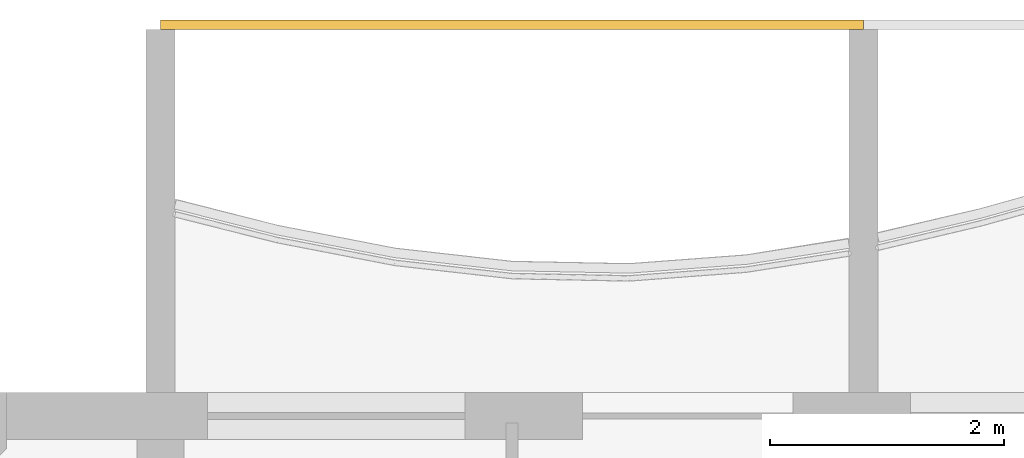
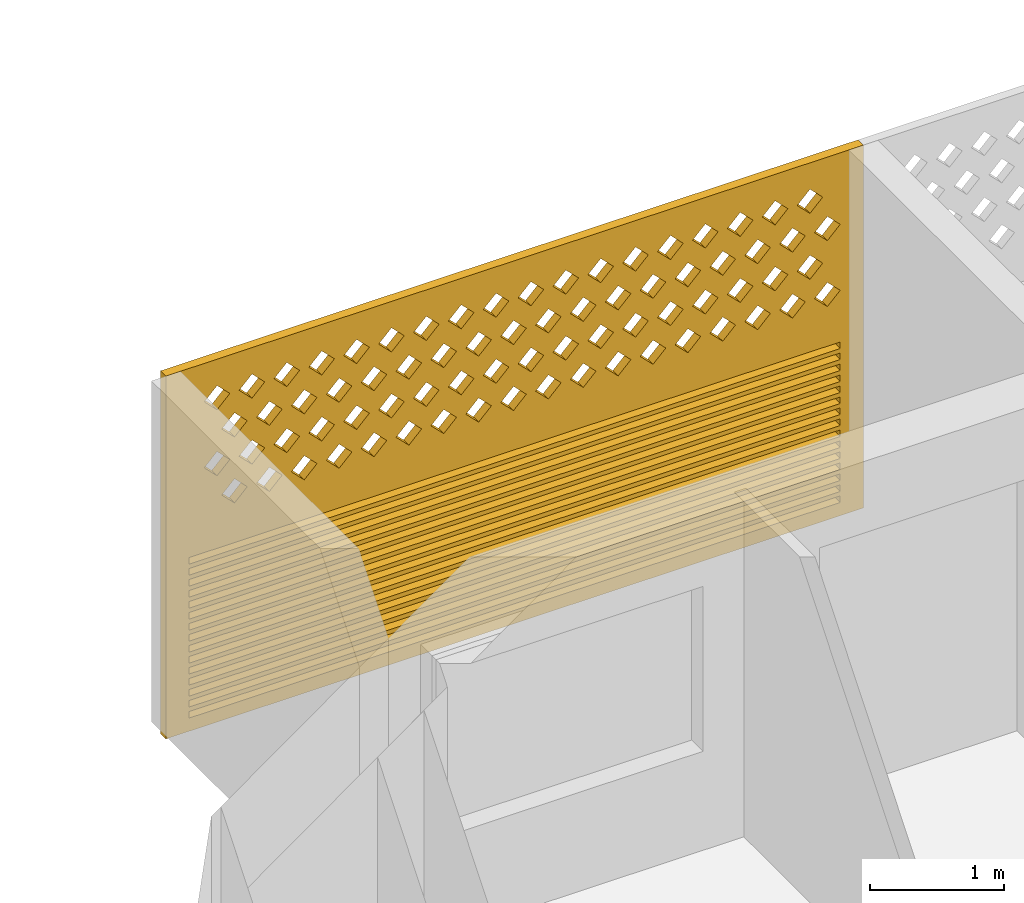
# One storey, part 20 of 39: 1 covering.
"""IFC4 building model written with IfcOpenShell, lengths in metres."""

from ifc_helpers import new_model, si_unit, direction, frame, origin, place, context, subcontext, project, spatial, polyline, outline, extrude, source, transform, mapped, material, material_profile, profile_set, type_object, element, save


model = new_model("IFC4")

# Units and contexts
model_context = context("Model", 3, precision=1e-05, world=origin(), true_north=direction((0.0, 1.0)))
body_context = subcontext(model_context, "Body", "Model", "MODEL_VIEW")
ifc_project = project(units=[si_unit("LENGTHUNIT", "METRE"), si_unit("AREAUNIT", "SQUARE_METRE"), si_unit("VOLUMEUNIT", "CUBIC_METRE"), si_unit("PLANEANGLEUNIT", "RADIAN"), si_unit("MASSUNIT", "GRAM", prefix="KILO")], contexts=[model_context])

# Site, building, storey
site_placement = place(None, origin())
site = spatial("IfcSite", under=ifc_project, at=site_placement, CompositionType="ELEMENT")
building_placement = place(site_placement, origin())
building = spatial("IfcBuilding", under=site, at=building_placement, Name="Poui Terraces", CompositionType="ELEMENT")
storey_placement = place(building_placement, frame((0.0, 0.0, 56.39990234375)))
storey = spatial("IfcBuildingStorey", under=building, at=storey_placement, Name="L15", CompositionType="ELEMENT", Elevation=56.39990234375)

# Covering
ifc_material = material(Name="Terracotta screen", Category="masonry")
ifc_material_profile = material_profile(ifc_material, outline(polyline([(-3.0, -1.64990234375), (3.0, -1.64990234375), (3.0, 1.64990234375), (-3.0, 1.64990234375), (-3.0, -1.64990234375)]), holes=[polyline([(-2.800048828125, 0.39990234375), (-2.68994140625, 0.2900390625), (-2.580078125, 0.39990234375), (-2.68994140625, 0.510009765625), (-2.800048828125, 0.39990234375)]), polyline([(-2.5, 0.39990234375), (-2.389892578125, 0.2900390625), (-2.280029296875, 0.39990234375), (-2.389892578125, 0.510009765625), (-2.5, 0.39990234375)]), polyline([(-2.199951171875, 0.39990234375), (-2.090087890625, 0.2900390625), (-1.97998046875, 0.39990234375), (-2.090087890625, 0.510009765625), (-2.199951171875, 0.39990234375)]), polyline([(-1.89990234375, 0.39990234375), (-1.7900390625, 0.2900390625), (-1.679931640625, 0.39990234375), (-1.7900390625, 0.510009765625), (-1.89990234375, 0.39990234375)]), polyline([(-1.60009765625, 0.39990234375), (-1.489990234375, 0.2900390625), (-1.3798828125, 0.39990234375), (-1.489990234375, 0.510009765625), (-1.60009765625, 0.39990234375)]), polyline([(-1.300048828125, 0.39990234375), (-1.18994140625, 0.2900390625), (-1.080078125, 0.39990234375), (-1.18994140625, 0.510009765625), (-1.300048828125, 0.39990234375)]), polyline([(-1.0, 0.39990234375), (-0.889892578125, 0.2900390625), (-0.780029296875, 0.39990234375), (-0.889892578125, 0.510009765625), (-1.0, 0.39990234375)]), polyline([(-0.699951171875, 0.39990234375), (-0.590087890625, 0.2900390625), (-0.47998046875, 0.39990234375), (-0.590087890625, 0.510009765625), (-0.699951171875, 0.39990234375)]), polyline([(-0.39990234375, 0.39990234375), (-0.2900390625, 0.2900390625), (-0.179931640625, 0.39990234375), (-0.2900390625, 0.510009765625), (-0.39990234375, 0.39990234375)]), polyline([(-0.10009765625, 0.39990234375), (0.010009765625, 0.2900390625), (0.1201171875, 0.39990234375), (0.010009765625, 0.510009765625), (-0.10009765625, 0.39990234375)]), polyline([(0.199951171875, 0.39990234375), (0.31005859375, 0.2900390625), (0.419921875, 0.39990234375), (0.31005859375, 0.510009765625), (0.199951171875, 0.39990234375)]), polyline([(0.5, 0.39990234375), (0.610107421875, 0.2900390625), (0.719970703125, 0.39990234375), (0.610107421875, 0.510009765625), (0.5, 0.39990234375)]), polyline([(0.800048828125, 0.39990234375), (0.909912109375, 0.2900390625), (1.02001953125, 0.39990234375), (0.909912109375, 0.510009765625), (0.800048828125, 0.39990234375)]), polyline([(1.10009765625, 0.39990234375), (1.2099609375, 0.2900390625), (1.320068359375, 0.39990234375), (1.2099609375, 0.510009765625), (1.10009765625, 0.39990234375)]), polyline([(1.39990234375, 0.39990234375), (1.510009765625, 0.2900390625), (1.6201171875, 0.39990234375), (1.510009765625, 0.510009765625), (1.39990234375, 0.39990234375)]), polyline([(1.699951171875, 0.39990234375), (1.81005859375, 0.2900390625), (1.919921875, 0.39990234375), (1.81005859375, 0.510009765625), (1.699951171875, 0.39990234375)]), polyline([(2.0, 0.39990234375), (2.110107421875, 0.2900390625), (2.219970703125, 0.39990234375), (2.110107421875, 0.510009765625), (2.0, 0.39990234375)]), polyline([(2.300048828125, 0.39990234375), (2.409912109375, 0.2900390625), (2.52001953125, 0.39990234375), (2.409912109375, 0.510009765625), (2.300048828125, 0.39990234375)]), polyline([(-2.64990234375, 0.699951171875), (-2.5400390625, 0.590087890625), (-2.429931640625, 0.699951171875), (-2.5400390625, 0.81005859375), (-2.64990234375, 0.699951171875)]), polyline([(-2.35009765625, 0.699951171875), (-2.239990234375, 0.590087890625), (-2.1298828125, 0.699951171875), (-2.239990234375, 0.81005859375), (-2.35009765625, 0.699951171875)]), polyline([(-2.050048828125, 0.699951171875), (-1.93994140625, 0.590087890625), (-1.830078125, 0.699951171875), (-1.93994140625, 0.81005859375), (-2.050048828125, 0.699951171875)]), polyline([(-1.75, 0.699951171875), (-1.639892578125, 0.590087890625), (-1.530029296875, 0.699951171875), (-1.639892578125, 0.81005859375), (-1.75, 0.699951171875)]), polyline([(-1.449951171875, 0.699951171875), (-1.340087890625, 0.590087890625), (-1.22998046875, 0.699951171875), (-1.340087890625, 0.81005859375), (-1.449951171875, 0.699951171875)]), polyline([(-1.14990234375, 0.699951171875), (-1.0400390625, 0.590087890625), (-0.929931640625, 0.699951171875), (-1.0400390625, 0.81005859375), (-1.14990234375, 0.699951171875)]), polyline([(-0.85009765625, 0.699951171875), (-0.739990234375, 0.590087890625), (-0.6298828125, 0.699951171875), (-0.739990234375, 0.81005859375), (-0.85009765625, 0.699951171875)]), polyline([(-0.550048828125, 0.699951171875), (-0.43994140625, 0.590087890625), (-0.330078125, 0.699951171875), (-0.43994140625, 0.81005859375), (-0.550048828125, 0.699951171875)]), polyline([(-0.25, 0.699951171875), (-0.139892578125, 0.590087890625), (-0.030029296875, 0.699951171875), (-0.139892578125, 0.81005859375), (-0.25, 0.699951171875)]), polyline([(0.050048828125, 0.699951171875), (0.159912109375, 0.590087890625), (0.27001953125, 0.699951171875), (0.159912109375, 0.81005859375), (0.050048828125, 0.699951171875)]), polyline([(0.35009765625, 0.699951171875), (0.4599609375, 0.590087890625), (0.570068359375, 0.699951171875), (0.4599609375, 0.81005859375), (0.35009765625, 0.699951171875)]), polyline([(0.64990234375, 0.699951171875), (0.760009765625, 0.590087890625), (0.8701171875, 0.699951171875), (0.760009765625, 0.81005859375), (0.64990234375, 0.699951171875)]), polyline([(0.949951171875, 0.699951171875), (1.06005859375, 0.590087890625), (1.169921875, 0.699951171875), (1.06005859375, 0.81005859375), (0.949951171875, 0.699951171875)]), polyline([(1.25, 0.699951171875), (1.360107421875, 0.590087890625), (1.469970703125, 0.699951171875), (1.360107421875, 0.81005859375), (1.25, 0.699951171875)]), polyline([(1.550048828125, 0.699951171875), (1.659912109375, 0.590087890625), (1.77001953125, 0.699951171875), (1.659912109375, 0.81005859375), (1.550048828125, 0.699951171875)]), polyline([(1.85009765625, 0.699951171875), (1.9599609375, 0.590087890625), (2.070068359375, 0.699951171875), (1.9599609375, 0.81005859375), (1.85009765625, 0.699951171875)]), polyline([(2.14990234375, 0.699951171875), (2.260009765625, 0.590087890625), (2.3701171875, 0.699951171875), (2.260009765625, 0.81005859375), (2.14990234375, 0.699951171875)]), polyline([(2.449951171875, 0.699951171875), (2.56005859375, 0.590087890625), (2.669921875, 0.699951171875), (2.56005859375, 0.81005859375), (2.449951171875, 0.699951171875)]), polyline([(-2.800048828125, 1.0), (-2.68994140625, 0.889892578125), (-2.580078125, 1.0), (-2.68994140625, 1.110107421875), (-2.800048828125, 1.0)]), polyline([(-2.5, 1.0), (-2.389892578125, 0.889892578125), (-2.280029296875, 1.0), (-2.389892578125, 1.110107421875), (-2.5, 1.0)]), polyline([(-2.199951171875, 1.0), (-2.090087890625, 0.889892578125), (-1.97998046875, 1.0), (-2.090087890625, 1.110107421875), (-2.199951171875, 1.0)]), polyline([(-1.89990234375, 1.0), (-1.7900390625, 0.889892578125), (-1.679931640625, 1.0), (-1.7900390625, 1.110107421875), (-1.89990234375, 1.0)]), polyline([(-1.60009765625, 1.0), (-1.489990234375, 0.889892578125), (-1.3798828125, 1.0), (-1.489990234375, 1.110107421875), (-1.60009765625, 1.0)]), polyline([(-1.300048828125, 1.0), (-1.18994140625, 0.889892578125), (-1.080078125, 1.0), (-1.18994140625, 1.110107421875), (-1.300048828125, 1.0)]), polyline([(-1.0, 1.0), (-0.889892578125, 0.889892578125), (-0.780029296875, 1.0), (-0.889892578125, 1.110107421875), (-1.0, 1.0)]), polyline([(-0.699951171875, 1.0), (-0.590087890625, 0.889892578125), (-0.47998046875, 1.0), (-0.590087890625, 1.110107421875), (-0.699951171875, 1.0)]), polyline([(-0.39990234375, 1.0), (-0.2900390625, 0.889892578125), (-0.179931640625, 1.0), (-0.2900390625, 1.110107421875), (-0.39990234375, 1.0)]), polyline([(-0.10009765625, 1.0), (0.010009765625, 0.889892578125), (0.1201171875, 1.0), (0.010009765625, 1.110107421875), (-0.10009765625, 1.0)]), polyline([(0.199951171875, 1.0), (0.31005859375, 0.889892578125), (0.419921875, 1.0), (0.31005859375, 1.110107421875), (0.199951171875, 1.0)]), polyline([(0.5, 1.0), (0.610107421875, 0.889892578125), (0.719970703125, 1.0), (0.610107421875, 1.110107421875), (0.5, 1.0)]), polyline([(0.800048828125, 1.0), (0.909912109375, 0.889892578125), (1.02001953125, 1.0), (0.909912109375, 1.110107421875), (0.800048828125, 1.0)]), polyline([(1.10009765625, 1.0), (1.2099609375, 0.889892578125), (1.320068359375, 1.0), (1.2099609375, 1.110107421875), (1.10009765625, 1.0)]), polyline([(1.39990234375, 1.0), (1.510009765625, 0.889892578125), (1.6201171875, 1.0), (1.510009765625, 1.110107421875), (1.39990234375, 1.0)]), polyline([(1.699951171875, 1.0), (1.81005859375, 0.889892578125), (1.919921875, 1.0), (1.81005859375, 1.110107421875), (1.699951171875, 1.0)]), polyline([(2.0, 1.0), (2.110107421875, 0.889892578125), (2.219970703125, 1.0), (2.110107421875, 1.110107421875), (2.0, 1.0)]), polyline([(2.300048828125, 1.0), (2.409912109375, 0.889892578125), (2.52001953125, 1.0), (2.409912109375, 1.110107421875), (2.300048828125, 1.0)]), polyline([(-2.64990234375, 1.300048828125), (-2.5400390625, 1.18994140625), (-2.429931640625, 1.300048828125), (-2.5400390625, 1.409912109375), (-2.64990234375, 1.300048828125)]), polyline([(-2.35009765625, 1.300048828125), (-2.239990234375, 1.18994140625), (-2.1298828125, 1.300048828125), (-2.239990234375, 1.409912109375), (-2.35009765625, 1.300048828125)]), polyline([(-2.050048828125, 1.300048828125), (-1.93994140625, 1.18994140625), (-1.830078125, 1.300048828125), (-1.93994140625, 1.409912109375), (-2.050048828125, 1.300048828125)]), polyline([(-1.75, 1.300048828125), (-1.639892578125, 1.18994140625), (-1.530029296875, 1.300048828125), (-1.639892578125, 1.409912109375), (-1.75, 1.300048828125)]), polyline([(-1.449951171875, 1.300048828125), (-1.340087890625, 1.18994140625), (-1.22998046875, 1.300048828125), (-1.340087890625, 1.409912109375), (-1.449951171875, 1.300048828125)]), polyline([(-1.14990234375, 1.300048828125), (-1.0400390625, 1.18994140625), (-0.929931640625, 1.300048828125), (-1.0400390625, 1.409912109375), (-1.14990234375, 1.300048828125)]), polyline([(-0.85009765625, 1.300048828125), (-0.739990234375, 1.18994140625), (-0.6298828125, 1.300048828125), (-0.739990234375, 1.409912109375), (-0.85009765625, 1.300048828125)]), polyline([(-0.550048828125, 1.300048828125), (-0.43994140625, 1.18994140625), (-0.330078125, 1.300048828125), (-0.43994140625, 1.409912109375), (-0.550048828125, 1.300048828125)]), polyline([(-0.25, 1.300048828125), (-0.139892578125, 1.18994140625), (-0.030029296875, 1.300048828125), (-0.139892578125, 1.409912109375), (-0.25, 1.300048828125)]), polyline([(0.050048828125, 1.300048828125), (0.159912109375, 1.18994140625), (0.27001953125, 1.300048828125), (0.159912109375, 1.409912109375), (0.050048828125, 1.300048828125)]), polyline([(0.35009765625, 1.300048828125), (0.4599609375, 1.18994140625), (0.570068359375, 1.300048828125), (0.4599609375, 1.409912109375), (0.35009765625, 1.300048828125)]), polyline([(0.64990234375, 1.300048828125), (0.760009765625, 1.18994140625), (0.8701171875, 1.300048828125), (0.760009765625, 1.409912109375), (0.64990234375, 1.300048828125)]), polyline([(0.949951171875, 1.300048828125), (1.06005859375, 1.18994140625), (1.169921875, 1.300048828125), (1.06005859375, 1.409912109375), (0.949951171875, 1.300048828125)]), polyline([(1.25, 1.300048828125), (1.360107421875, 1.18994140625), (1.469970703125, 1.300048828125), (1.360107421875, 1.409912109375), (1.25, 1.300048828125)]), polyline([(1.550048828125, 1.300048828125), (1.659912109375, 1.18994140625), (1.77001953125, 1.300048828125), (1.659912109375, 1.409912109375), (1.550048828125, 1.300048828125)]), polyline([(1.85009765625, 1.300048828125), (1.9599609375, 1.18994140625), (2.070068359375, 1.300048828125), (1.9599609375, 1.409912109375), (1.85009765625, 1.300048828125)]), polyline([(2.14990234375, 1.300048828125), (2.260009765625, 1.18994140625), (2.3701171875, 1.300048828125), (2.260009765625, 1.409912109375), (2.14990234375, 1.300048828125)]), polyline([(2.449951171875, 1.300048828125), (2.56005859375, 1.18994140625), (2.669921875, 1.300048828125), (2.56005859375, 1.409912109375), (2.449951171875, 1.300048828125)]), polyline([(-2.800048828125, -1.530029296875), (2.800048828125, -1.530029296875), (2.800048828125, -1.469970703125), (-2.800048828125, -1.469970703125), (-2.800048828125, -1.530029296875)]), polyline([(-2.800048828125, -1.429931640625), (2.800048828125, -1.429931640625), (2.800048828125, -1.3701171875), (-2.800048828125, -1.3701171875), (-2.800048828125, -1.429931640625)]), polyline([(-2.800048828125, -1.330078125), (2.800048828125, -1.330078125), (2.800048828125, -1.27001953125), (-2.800048828125, -1.27001953125), (-2.800048828125, -1.330078125)]), polyline([(-2.800048828125, -1.22998046875), (2.800048828125, -1.22998046875), (2.800048828125, -1.169921875), (-2.800048828125, -1.169921875), (-2.800048828125, -1.22998046875)]), polyline([(-2.800048828125, -1.1298828125), (2.800048828125, -1.1298828125), (2.800048828125, -1.070068359375), (-2.800048828125, -1.070068359375), (-2.800048828125, -1.1298828125)]), polyline([(-2.800048828125, -1.030029296875), (2.800048828125, -1.030029296875), (2.800048828125, -0.969970703125), (-2.800048828125, -0.969970703125), (-2.800048828125, -1.030029296875)]), polyline([(-2.800048828125, -0.929931640625), (2.800048828125, -0.929931640625), (2.800048828125, -0.8701171875), (-2.800048828125, -0.8701171875), (-2.800048828125, -0.929931640625)]), polyline([(-2.800048828125, -0.830078125), (2.800048828125, -0.830078125), (2.800048828125, -0.77001953125), (-2.800048828125, -0.77001953125), (-2.800048828125, -0.830078125)]), polyline([(-2.800048828125, -0.72998046875), (2.800048828125, -0.72998046875), (2.800048828125, -0.669921875), (-2.800048828125, -0.669921875), (-2.800048828125, -0.72998046875)]), polyline([(-2.800048828125, -0.6298828125), (2.800048828125, -0.6298828125), (2.800048828125, -0.570068359375), (-2.800048828125, -0.570068359375), (-2.800048828125, -0.6298828125)]), polyline([(-2.800048828125, -0.530029296875), (2.800048828125, -0.530029296875), (2.800048828125, -0.469970703125), (-2.800048828125, -0.469970703125), (-2.800048828125, -0.530029296875)]), polyline([(-2.800048828125, -0.429931640625), (2.800048828125, -0.429931640625), (2.800048828125, -0.3701171875), (-2.800048828125, -0.3701171875), (-2.800048828125, -0.429931640625)]), polyline([(-2.800048828125, -0.330078125), (2.800048828125, -0.330078125), (2.800048828125, -0.27001953125), (-2.800048828125, -0.27001953125), (-2.800048828125, -0.330078125)]), polyline([(-2.800048828125, -0.22998046875), (2.800048828125, -0.22998046875), (2.800048828125, -0.169921875), (-2.800048828125, -0.169921875), (-2.800048828125, -0.22998046875)]), polyline([(-2.800048828125, -0.1298828125), (2.800048828125, -0.1298828125), (2.800048828125, -0.070068359375), (-2.800048828125, -0.070068359375), (-2.800048828125, -0.1298828125)])]), Name="TERRACOTTA SCREEN AND JALOUSIE LOUVRE 6000X3300")
ifc_profile_set = profile_set([ifc_material_profile], Name="Terracotta screen")
covering_type = type_object("IfcCoveringType", Name="TERRACOTTA SCREEN AND JALOUSIE LOUVRE 6000X3300", PredefinedType="CLADDING", material=ifc_profile_set)
shared_shape = source(origin(), body_context, "Body", "SweptSolid", [
    extrude(outline(polyline([(-3.0, -1.64990234375), (3.0, -1.64990234375), (3.0, 1.64990234375), (-3.0, 1.64990234375), (-3.0, -1.64990234375)]), holes=[polyline([(-2.800048828125, 0.39990234375), (-2.68994140625, 0.2900390625), (-2.580078125, 0.39990234375), (-2.68994140625, 0.510009765625), (-2.800048828125, 0.39990234375)]), polyline([(-2.5, 0.39990234375), (-2.389892578125, 0.2900390625), (-2.280029296875, 0.39990234375), (-2.389892578125, 0.510009765625), (-2.5, 0.39990234375)]), polyline([(-2.199951171875, 0.39990234375), (-2.090087890625, 0.2900390625), (-1.97998046875, 0.39990234375), (-2.090087890625, 0.510009765625), (-2.199951171875, 0.39990234375)]), polyline([(-1.89990234375, 0.39990234375), (-1.7900390625, 0.2900390625), (-1.679931640625, 0.39990234375), (-1.7900390625, 0.510009765625), (-1.89990234375, 0.39990234375)]), polyline([(-1.60009765625, 0.39990234375), (-1.489990234375, 0.2900390625), (-1.3798828125, 0.39990234375), (-1.489990234375, 0.510009765625), (-1.60009765625, 0.39990234375)]), polyline([(-1.300048828125, 0.39990234375), (-1.18994140625, 0.2900390625), (-1.080078125, 0.39990234375), (-1.18994140625, 0.510009765625), (-1.300048828125, 0.39990234375)]), polyline([(-1.0, 0.39990234375), (-0.889892578125, 0.2900390625), (-0.780029296875, 0.39990234375), (-0.889892578125, 0.510009765625), (-1.0, 0.39990234375)]), polyline([(-0.699951171875, 0.39990234375), (-0.590087890625, 0.2900390625), (-0.47998046875, 0.39990234375), (-0.590087890625, 0.510009765625), (-0.699951171875, 0.39990234375)]), polyline([(-0.39990234375, 0.39990234375), (-0.2900390625, 0.2900390625), (-0.179931640625, 0.39990234375), (-0.2900390625, 0.510009765625), (-0.39990234375, 0.39990234375)]), polyline([(-0.10009765625, 0.39990234375), (0.010009765625, 0.2900390625), (0.1201171875, 0.39990234375), (0.010009765625, 0.510009765625), (-0.10009765625, 0.39990234375)]), polyline([(0.199951171875, 0.39990234375), (0.31005859375, 0.2900390625), (0.419921875, 0.39990234375), (0.31005859375, 0.510009765625), (0.199951171875, 0.39990234375)]), polyline([(0.5, 0.39990234375), (0.610107421875, 0.2900390625), (0.719970703125, 0.39990234375), (0.610107421875, 0.510009765625), (0.5, 0.39990234375)]), polyline([(0.800048828125, 0.39990234375), (0.909912109375, 0.2900390625), (1.02001953125, 0.39990234375), (0.909912109375, 0.510009765625), (0.800048828125, 0.39990234375)]), polyline([(1.10009765625, 0.39990234375), (1.2099609375, 0.2900390625), (1.320068359375, 0.39990234375), (1.2099609375, 0.510009765625), (1.10009765625, 0.39990234375)]), polyline([(1.39990234375, 0.39990234375), (1.510009765625, 0.2900390625), (1.6201171875, 0.39990234375), (1.510009765625, 0.510009765625), (1.39990234375, 0.39990234375)]), polyline([(1.699951171875, 0.39990234375), (1.81005859375, 0.2900390625), (1.919921875, 0.39990234375), (1.81005859375, 0.510009765625), (1.699951171875, 0.39990234375)]), polyline([(2.0, 0.39990234375), (2.110107421875, 0.2900390625), (2.219970703125, 0.39990234375), (2.110107421875, 0.510009765625), (2.0, 0.39990234375)]), polyline([(2.300048828125, 0.39990234375), (2.409912109375, 0.2900390625), (2.52001953125, 0.39990234375), (2.409912109375, 0.510009765625), (2.300048828125, 0.39990234375)]), polyline([(-2.64990234375, 0.699951171875), (-2.5400390625, 0.590087890625), (-2.429931640625, 0.699951171875), (-2.5400390625, 0.81005859375), (-2.64990234375, 0.699951171875)]), polyline([(-2.35009765625, 0.699951171875), (-2.239990234375, 0.590087890625), (-2.1298828125, 0.699951171875), (-2.239990234375, 0.81005859375), (-2.35009765625, 0.699951171875)]), polyline([(-2.050048828125, 0.699951171875), (-1.93994140625, 0.590087890625), (-1.830078125, 0.699951171875), (-1.93994140625, 0.81005859375), (-2.050048828125, 0.699951171875)]), polyline([(-1.75, 0.699951171875), (-1.639892578125, 0.590087890625), (-1.530029296875, 0.699951171875), (-1.639892578125, 0.81005859375), (-1.75, 0.699951171875)]), polyline([(-1.449951171875, 0.699951171875), (-1.340087890625, 0.590087890625), (-1.22998046875, 0.699951171875), (-1.340087890625, 0.81005859375), (-1.449951171875, 0.699951171875)]), polyline([(-1.14990234375, 0.699951171875), (-1.0400390625, 0.590087890625), (-0.929931640625, 0.699951171875), (-1.0400390625, 0.81005859375), (-1.14990234375, 0.699951171875)]), polyline([(-0.85009765625, 0.699951171875), (-0.739990234375, 0.590087890625), (-0.6298828125, 0.699951171875), (-0.739990234375, 0.81005859375), (-0.85009765625, 0.699951171875)]), polyline([(-0.550048828125, 0.699951171875), (-0.43994140625, 0.590087890625), (-0.330078125, 0.699951171875), (-0.43994140625, 0.81005859375), (-0.550048828125, 0.699951171875)]), polyline([(-0.25, 0.699951171875), (-0.139892578125, 0.590087890625), (-0.030029296875, 0.699951171875), (-0.139892578125, 0.81005859375), (-0.25, 0.699951171875)]), polyline([(0.050048828125, 0.699951171875), (0.159912109375, 0.590087890625), (0.27001953125, 0.699951171875), (0.159912109375, 0.81005859375), (0.050048828125, 0.699951171875)]), polyline([(0.35009765625, 0.699951171875), (0.4599609375, 0.590087890625), (0.570068359375, 0.699951171875), (0.4599609375, 0.81005859375), (0.35009765625, 0.699951171875)]), polyline([(0.64990234375, 0.699951171875), (0.760009765625, 0.590087890625), (0.8701171875, 0.699951171875), (0.760009765625, 0.81005859375), (0.64990234375, 0.699951171875)]), polyline([(0.949951171875, 0.699951171875), (1.06005859375, 0.590087890625), (1.169921875, 0.699951171875), (1.06005859375, 0.81005859375), (0.949951171875, 0.699951171875)]), polyline([(1.25, 0.699951171875), (1.360107421875, 0.590087890625), (1.469970703125, 0.699951171875), (1.360107421875, 0.81005859375), (1.25, 0.699951171875)]), polyline([(1.550048828125, 0.699951171875), (1.659912109375, 0.590087890625), (1.77001953125, 0.699951171875), (1.659912109375, 0.81005859375), (1.550048828125, 0.699951171875)]), polyline([(1.85009765625, 0.699951171875), (1.9599609375, 0.590087890625), (2.070068359375, 0.699951171875), (1.9599609375, 0.81005859375), (1.85009765625, 0.699951171875)]), polyline([(2.14990234375, 0.699951171875), (2.260009765625, 0.590087890625), (2.3701171875, 0.699951171875), (2.260009765625, 0.81005859375), (2.14990234375, 0.699951171875)]), polyline([(2.449951171875, 0.699951171875), (2.56005859375, 0.590087890625), (2.669921875, 0.699951171875), (2.56005859375, 0.81005859375), (2.449951171875, 0.699951171875)]), polyline([(-2.800048828125, 1.0), (-2.68994140625, 0.889892578125), (-2.580078125, 1.0), (-2.68994140625, 1.110107421875), (-2.800048828125, 1.0)]), polyline([(-2.5, 1.0), (-2.389892578125, 0.889892578125), (-2.280029296875, 1.0), (-2.389892578125, 1.110107421875), (-2.5, 1.0)]), polyline([(-2.199951171875, 1.0), (-2.090087890625, 0.889892578125), (-1.97998046875, 1.0), (-2.090087890625, 1.110107421875), (-2.199951171875, 1.0)]), polyline([(-1.89990234375, 1.0), (-1.7900390625, 0.889892578125), (-1.679931640625, 1.0), (-1.7900390625, 1.110107421875), (-1.89990234375, 1.0)]), polyline([(-1.60009765625, 1.0), (-1.489990234375, 0.889892578125), (-1.3798828125, 1.0), (-1.489990234375, 1.110107421875), (-1.60009765625, 1.0)]), polyline([(-1.300048828125, 1.0), (-1.18994140625, 0.889892578125), (-1.080078125, 1.0), (-1.18994140625, 1.110107421875), (-1.300048828125, 1.0)]), polyline([(-1.0, 1.0), (-0.889892578125, 0.889892578125), (-0.780029296875, 1.0), (-0.889892578125, 1.110107421875), (-1.0, 1.0)]), polyline([(-0.699951171875, 1.0), (-0.590087890625, 0.889892578125), (-0.47998046875, 1.0), (-0.590087890625, 1.110107421875), (-0.699951171875, 1.0)]), polyline([(-0.39990234375, 1.0), (-0.2900390625, 0.889892578125), (-0.179931640625, 1.0), (-0.2900390625, 1.110107421875), (-0.39990234375, 1.0)]), polyline([(-0.10009765625, 1.0), (0.010009765625, 0.889892578125), (0.1201171875, 1.0), (0.010009765625, 1.110107421875), (-0.10009765625, 1.0)]), polyline([(0.199951171875, 1.0), (0.31005859375, 0.889892578125), (0.419921875, 1.0), (0.31005859375, 1.110107421875), (0.199951171875, 1.0)]), polyline([(0.5, 1.0), (0.610107421875, 0.889892578125), (0.719970703125, 1.0), (0.610107421875, 1.110107421875), (0.5, 1.0)]), polyline([(0.800048828125, 1.0), (0.909912109375, 0.889892578125), (1.02001953125, 1.0), (0.909912109375, 1.110107421875), (0.800048828125, 1.0)]), polyline([(1.10009765625, 1.0), (1.2099609375, 0.889892578125), (1.320068359375, 1.0), (1.2099609375, 1.110107421875), (1.10009765625, 1.0)]), polyline([(1.39990234375, 1.0), (1.510009765625, 0.889892578125), (1.6201171875, 1.0), (1.510009765625, 1.110107421875), (1.39990234375, 1.0)]), polyline([(1.699951171875, 1.0), (1.81005859375, 0.889892578125), (1.919921875, 1.0), (1.81005859375, 1.110107421875), (1.699951171875, 1.0)]), polyline([(2.0, 1.0), (2.110107421875, 0.889892578125), (2.219970703125, 1.0), (2.110107421875, 1.110107421875), (2.0, 1.0)]), polyline([(2.300048828125, 1.0), (2.409912109375, 0.889892578125), (2.52001953125, 1.0), (2.409912109375, 1.110107421875), (2.300048828125, 1.0)]), polyline([(-2.64990234375, 1.300048828125), (-2.5400390625, 1.18994140625), (-2.429931640625, 1.300048828125), (-2.5400390625, 1.409912109375), (-2.64990234375, 1.300048828125)]), polyline([(-2.35009765625, 1.300048828125), (-2.239990234375, 1.18994140625), (-2.1298828125, 1.300048828125), (-2.239990234375, 1.409912109375), (-2.35009765625, 1.300048828125)]), polyline([(-2.050048828125, 1.300048828125), (-1.93994140625, 1.18994140625), (-1.830078125, 1.300048828125), (-1.93994140625, 1.409912109375), (-2.050048828125, 1.300048828125)]), polyline([(-1.75, 1.300048828125), (-1.639892578125, 1.18994140625), (-1.530029296875, 1.300048828125), (-1.639892578125, 1.409912109375), (-1.75, 1.300048828125)]), polyline([(-1.449951171875, 1.300048828125), (-1.340087890625, 1.18994140625), (-1.22998046875, 1.300048828125), (-1.340087890625, 1.409912109375), (-1.449951171875, 1.300048828125)]), polyline([(-1.14990234375, 1.300048828125), (-1.0400390625, 1.18994140625), (-0.929931640625, 1.300048828125), (-1.0400390625, 1.409912109375), (-1.14990234375, 1.300048828125)]), polyline([(-0.85009765625, 1.300048828125), (-0.739990234375, 1.18994140625), (-0.6298828125, 1.300048828125), (-0.739990234375, 1.409912109375), (-0.85009765625, 1.300048828125)]), polyline([(-0.550048828125, 1.300048828125), (-0.43994140625, 1.18994140625), (-0.330078125, 1.300048828125), (-0.43994140625, 1.409912109375), (-0.550048828125, 1.300048828125)]), polyline([(-0.25, 1.300048828125), (-0.139892578125, 1.18994140625), (-0.030029296875, 1.300048828125), (-0.139892578125, 1.409912109375), (-0.25, 1.300048828125)]), polyline([(0.050048828125, 1.300048828125), (0.159912109375, 1.18994140625), (0.27001953125, 1.300048828125), (0.159912109375, 1.409912109375), (0.050048828125, 1.300048828125)]), polyline([(0.35009765625, 1.300048828125), (0.4599609375, 1.18994140625), (0.570068359375, 1.300048828125), (0.4599609375, 1.409912109375), (0.35009765625, 1.300048828125)]), polyline([(0.64990234375, 1.300048828125), (0.760009765625, 1.18994140625), (0.8701171875, 1.300048828125), (0.760009765625, 1.409912109375), (0.64990234375, 1.300048828125)]), polyline([(0.949951171875, 1.300048828125), (1.06005859375, 1.18994140625), (1.169921875, 1.300048828125), (1.06005859375, 1.409912109375), (0.949951171875, 1.300048828125)]), polyline([(1.25, 1.300048828125), (1.360107421875, 1.18994140625), (1.469970703125, 1.300048828125), (1.360107421875, 1.409912109375), (1.25, 1.300048828125)]), polyline([(1.550048828125, 1.300048828125), (1.659912109375, 1.18994140625), (1.77001953125, 1.300048828125), (1.659912109375, 1.409912109375), (1.550048828125, 1.300048828125)]), polyline([(1.85009765625, 1.300048828125), (1.9599609375, 1.18994140625), (2.070068359375, 1.300048828125), (1.9599609375, 1.409912109375), (1.85009765625, 1.300048828125)]), polyline([(2.14990234375, 1.300048828125), (2.260009765625, 1.18994140625), (2.3701171875, 1.300048828125), (2.260009765625, 1.409912109375), (2.14990234375, 1.300048828125)]), polyline([(2.449951171875, 1.300048828125), (2.56005859375, 1.18994140625), (2.669921875, 1.300048828125), (2.56005859375, 1.409912109375), (2.449951171875, 1.300048828125)]), polyline([(-2.800048828125, -1.530029296875), (2.800048828125, -1.530029296875), (2.800048828125, -1.469970703125), (-2.800048828125, -1.469970703125), (-2.800048828125, -1.530029296875)]), polyline([(-2.800048828125, -1.429931640625), (2.800048828125, -1.429931640625), (2.800048828125, -1.3701171875), (-2.800048828125, -1.3701171875), (-2.800048828125, -1.429931640625)]), polyline([(-2.800048828125, -1.330078125), (2.800048828125, -1.330078125), (2.800048828125, -1.27001953125), (-2.800048828125, -1.27001953125), (-2.800048828125, -1.330078125)]), polyline([(-2.800048828125, -1.22998046875), (2.800048828125, -1.22998046875), (2.800048828125, -1.169921875), (-2.800048828125, -1.169921875), (-2.800048828125, -1.22998046875)]), polyline([(-2.800048828125, -1.1298828125), (2.800048828125, -1.1298828125), (2.800048828125, -1.070068359375), (-2.800048828125, -1.070068359375), (-2.800048828125, -1.1298828125)]), polyline([(-2.800048828125, -1.030029296875), (2.800048828125, -1.030029296875), (2.800048828125, -0.969970703125), (-2.800048828125, -0.969970703125), (-2.800048828125, -1.030029296875)]), polyline([(-2.800048828125, -0.929931640625), (2.800048828125, -0.929931640625), (2.800048828125, -0.8701171875), (-2.800048828125, -0.8701171875), (-2.800048828125, -0.929931640625)]), polyline([(-2.800048828125, -0.830078125), (2.800048828125, -0.830078125), (2.800048828125, -0.77001953125), (-2.800048828125, -0.77001953125), (-2.800048828125, -0.830078125)]), polyline([(-2.800048828125, -0.72998046875), (2.800048828125, -0.72998046875), (2.800048828125, -0.669921875), (-2.800048828125, -0.669921875), (-2.800048828125, -0.72998046875)]), polyline([(-2.800048828125, -0.6298828125), (2.800048828125, -0.6298828125), (2.800048828125, -0.570068359375), (-2.800048828125, -0.570068359375), (-2.800048828125, -0.6298828125)]), polyline([(-2.800048828125, -0.530029296875), (2.800048828125, -0.530029296875), (2.800048828125, -0.469970703125), (-2.800048828125, -0.469970703125), (-2.800048828125, -0.530029296875)]), polyline([(-2.800048828125, -0.429931640625), (2.800048828125, -0.429931640625), (2.800048828125, -0.3701171875), (-2.800048828125, -0.3701171875), (-2.800048828125, -0.429931640625)]), polyline([(-2.800048828125, -0.330078125), (2.800048828125, -0.330078125), (2.800048828125, -0.27001953125), (-2.800048828125, -0.27001953125), (-2.800048828125, -0.330078125)]), polyline([(-2.800048828125, -0.22998046875), (2.800048828125, -0.22998046875), (2.800048828125, -0.169921875), (-2.800048828125, -0.169921875), (-2.800048828125, -0.22998046875)]), polyline([(-2.800048828125, -0.1298828125), (2.800048828125, -0.1298828125), (2.800048828125, -0.070068359375), (-2.800048828125, -0.070068359375), (-2.800048828125, -0.1298828125)])]), origin(), (0.0, 0.0, 1.0), 0.079833984375),
])
covering_placement = place(storey_placement, frame((15.0, 48.10009765625, 1.4501953125), z_axis=(0.0, 1.0, 0.0), x_axis=(-1.0, 0.0, 0.0)))
element("IfcCovering", 1, at=covering_placement, inside=storey, type_object=covering_type, Name="SOLAR SCREEN AND JALOUSIE LOUVRE", PredefinedType="CLADDING", context=body_context, shape_type="MappedRepresentation", body=[
    mapped(shared_shape, transform((0.0, 0.0, 0.0))),
])

save(model, "model.ifc")
